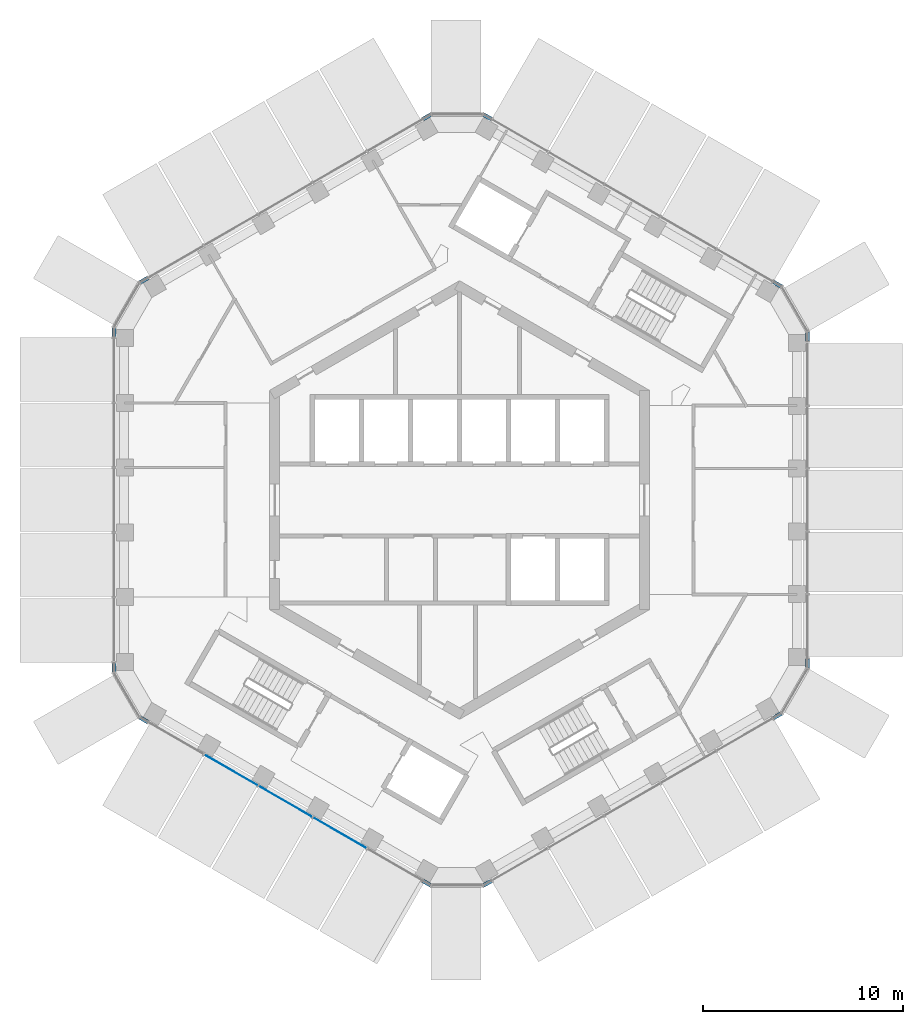
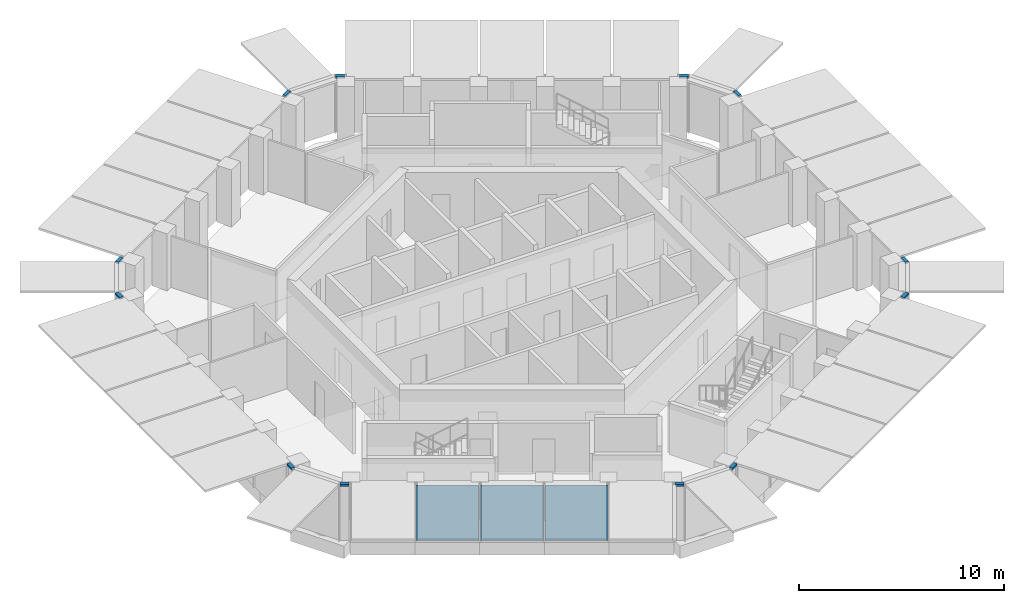
# One storey, part 6 of 17: 12 members, 3 plates, 7 elements without a shape of their own.
"""IFC4 building model written with IfcOpenShell, lengths in metres."""

from ifc_helpers import new_model, si_unit, direction, frame, origin, origin_2d, place, context, subcontext, project, spatial, rectangle, extrude, material, layer, layer_set, material_profile, profile_set, type_object, element, aggregate, save


model = new_model("IFC4")

# Units and contexts
model_context = context("Model", 3, precision=1e-05, world=origin(), true_north=direction((0.0, 1.0)))
body_context = subcontext(model_context, "Body", "Model", "MODEL_VIEW")
ifc_project = project(units=[si_unit("LENGTHUNIT", "METRE"), si_unit("AREAUNIT", "SQUARE_METRE"), si_unit("VOLUMEUNIT", "CUBIC_METRE"), si_unit("PLANEANGLEUNIT", "RADIAN"), si_unit("MASSUNIT", "GRAM", prefix="KILO")], contexts=[model_context])

# Site, building, storey
site_placement = place(None, origin())
site = spatial("IfcSite", under=ifc_project, at=site_placement, CompositionType="ELEMENT")
building_placement = place(site_placement, origin())
building = spatial("IfcBuilding", under=site, at=building_placement, Name="Ayvan Gate Tower", CompositionType="ELEMENT")
storey_placement = place(building_placement, frame((0.0, 0.0, 225.699951171875)))
storey = spatial("IfcBuildingStorey", under=building, at=storey_placement, Name="L60", CompositionType="ELEMENT", Elevation=225.699951171875)

# Curtain wall, members
ifc_material_1 = material(Name="Bronze anodised aluminium", Category="aluminium")
ifc_layer_1 = layer(ifc_material_1, 0.199951171875)
ifc_layer_set_1 = layer_set([ifc_layer_1], Name="Bronze anodised aluminium")
curtain_wall_type_1 = type_object("IfcCurtainWallType", Name="Stick curtain wall CW-6", PredefinedType="NOTDEFINED", material=ifc_layer_set_1)
curtain_wall_1_placement = place(storey_placement, origin())
curtain_wall_1 = element("IfcCurtainWall", 1, at=curtain_wall_1_placement, inside=storey, type_object=curtain_wall_type_1, Name="Stick curtain wall CW-6 L60", PredefinedType="NOTDEFINED")
ifc_material_profile = material_profile(ifc_material_1, rectangle(XDim=0.199951171875, YDim=0.1201171875, at=origin_2d()), Name="Stick curtain wall CW-6 transom 200 x 120")
ifc_profile_set = profile_set([ifc_material_profile], Name="Bronze anodised aluminium")
member_type = type_object("IfcMemberType", Name="Stick curtain wall CW-6 transom 200 x 120", PredefinedType="USERDEFINED", material=ifc_profile_set)
member_1_placement = place(storey_placement, frame((-15.591064453125, 11.104736328125, 3.340087890625), z_axis=(-0.866032067792, -0.499988457423, 0.0), x_axis=(0.499988457423, -0.866032067792, 0.0)))
member_1 = element("IfcMember", 2, at=member_1_placement, type_object=member_type, Name="CW-6 transom 1", ObjectType="TRANSOM", PredefinedType="USERDEFINED", context=body_context, shape_type="SweptSolid", body=[
    extrude(rectangle(XDim=0.199951171875, YDim=0.1201171875, at=origin_2d()), origin(), (0.0, 0.0, 1.0), 0.4501953125),
])
member_2_placement = place(storey_placement, frame((-17.293701171875, 8.605712890625, 3.340087890625), z_axis=(0.0, -1.0, 0.0), x_axis=(1.0, 0.0, 0.0)))
member_2 = element("IfcMember", 3, at=member_2_placement, type_object=member_type, Name="CW-6 transom 3", ObjectType="TRANSOM", PredefinedType="USERDEFINED", context=body_context, shape_type="SweptSolid", body=[
    extrude(rectangle(XDim=0.199951171875, YDim=0.1201171875, at=origin_2d()), origin(), (0.0, 0.0, 1.0), 0.4501953125),
])
aggregate(curtain_wall_1, [member_1, member_2])

curtain_wall_2_placement = place(storey_placement, origin())
curtain_wall_2 = element("IfcCurtainWall", 4, at=curtain_wall_2_placement, inside=storey, type_object=curtain_wall_type_1, Name="Stick curtain wall CW-6 L60", PredefinedType="NOTDEFINED")
member_3_placement = place(storey_placement, frame((-17.293701171875, -8.155517578125, 3.340087890625), z_axis=(0.0, -1.0, 0.0), x_axis=(1.0, 0.0, 0.0)))
member_3 = element("IfcMember", 5, at=member_3_placement, type_object=member_type, Name="CW-6 transom 1", ObjectType="TRANSOM", PredefinedType="USERDEFINED", context=body_context, shape_type="SweptSolid", body=[
    extrude(rectangle(XDim=0.199951171875, YDim=0.1201171875, at=origin_2d()), origin(), (0.0, 0.0, 1.0), 0.4501953125),
])
member_4_placement = place(storey_placement, frame((-15.98095703125, -10.879638671875, 3.340087890625), z_axis=(0.866032067792, -0.499988457423, 0.0), x_axis=(0.499988457423, 0.866032067792, 0.0)))
member_4 = element("IfcMember", 6, at=member_4_placement, type_object=member_type, Name="CW-6 transom 3", ObjectType="TRANSOM", PredefinedType="USERDEFINED", context=body_context, shape_type="SweptSolid", body=[
    extrude(rectangle(XDim=0.199951171875, YDim=0.1201171875, at=origin_2d()), origin(), (0.0, 0.0, 1.0), 0.4501953125),
])
aggregate(curtain_wall_2, [member_3, member_4])

curtain_wall_3_placement = place(storey_placement, origin())
curtain_wall_3 = element("IfcCurtainWall", 7, at=curtain_wall_3_placement, inside=storey, type_object=curtain_wall_type_1, Name="Stick curtain wall CW-6 L60", PredefinedType="NOTDEFINED")
member_5_placement = place(storey_placement, frame((-1.8212890625, -19.0546875, 3.340087890625), z_axis=(0.865896406789, -0.500223362819, 0.0), x_axis=(0.500223362819, 0.865896406789, 0.0)))
member_5 = element("IfcMember", 8, at=member_5_placement, type_object=member_type, Name="CW-6 transom 1", ObjectType="TRANSOM", PredefinedType="USERDEFINED", context=body_context, shape_type="SweptSolid", body=[
    extrude(rectangle(XDim=0.199951171875, YDim=0.1201171875, at=origin_2d()), origin(), (0.0, 0.0, 1.0), 0.449951171875),
])
member_6_placement = place(storey_placement, frame((1.1943359375, -19.27978515625, 3.340087890625), z_axis=(0.865896406789, 0.500223362819, 0.0), x_axis=(-0.500223362819, 0.865896406789, 0.0)))
member_6 = element("IfcMember", 9, at=member_6_placement, type_object=member_type, Name="CW-6 transom 3", ObjectType="TRANSOM", PredefinedType="USERDEFINED", context=body_context, shape_type="SweptSolid", body=[
    extrude(rectangle(XDim=0.199951171875, YDim=0.1201171875, at=origin_2d()), origin(), (0.0, 0.0, 1.0), 0.449951171875),
])
aggregate(curtain_wall_3, [member_5, member_6])

curtain_wall_4_placement = place(storey_placement, origin())
curtain_wall_4 = element("IfcCurtainWall", 10, at=curtain_wall_4_placement, inside=storey, type_object=curtain_wall_type_1, Name="Stick curtain wall CW-6 L60", PredefinedType="NOTDEFINED")
member_7_placement = place(storey_placement, frame((15.7099609375, -10.899169921875, 3.340087890625), z_axis=(0.865896406789, 0.500223362819, 0.0), x_axis=(-0.500223362819, 0.865896406789, 0.0)))
member_7 = element("IfcMember", 11, at=member_7_placement, type_object=member_type, Name="CW-6 transom 1", ObjectType="TRANSOM", PredefinedType="USERDEFINED", context=body_context, shape_type="SweptSolid", body=[
    extrude(rectangle(XDim=0.199951171875, YDim=0.1201171875, at=origin_2d()), origin(), (0.0, 0.0, 1.0), 0.449951171875),
])
member_8_placement = place(storey_placement, frame((17.41259765625, -8.39990234375, 3.340087890625), z_axis=(0.0, 1.0, 0.0), x_axis=(-1.0, 0.0, 0.0)))
member_8 = element("IfcMember", 12, at=member_8_placement, type_object=member_type, Name="CW-6 transom 3", ObjectType="TRANSOM", PredefinedType="USERDEFINED", context=body_context, shape_type="SweptSolid", body=[
    extrude(rectangle(XDim=0.199951171875, YDim=0.1201171875, at=origin_2d()), origin(), (0.0, 0.0, 1.0), 0.449951171875),
])
aggregate(curtain_wall_4, [member_7, member_8])

curtain_wall_5_placement = place(storey_placement, origin())
curtain_wall_5 = element("IfcCurtainWall", 13, at=curtain_wall_5_placement, inside=storey, type_object=curtain_wall_type_1, Name="Stick curtain wall CW-6 L60", PredefinedType="NOTDEFINED")
member_9_placement = place(storey_placement, frame((17.41259765625, 7.949951171875, 3.340087890625), z_axis=(0.0, 1.0, 0.0), x_axis=(-1.0, 0.0, 0.0)))
member_9 = element("IfcMember", 14, at=member_9_placement, type_object=member_type, Name="CW-6 transom 1", ObjectType="TRANSOM", PredefinedType="USERDEFINED", context=body_context, shape_type="SweptSolid", body=[
    extrude(rectangle(XDim=0.199951171875, YDim=0.1201171875, at=origin_2d()), origin(), (0.0, 0.0, 1.0), 0.449951171875),
])
member_10_placement = place(storey_placement, frame((16.099609375, 10.674072265625, 3.340087890625), z_axis=(-0.865896406789, 0.500223362819, 0.0), x_axis=(-0.500223362819, -0.865896406789, 0.0)))
member_10 = element("IfcMember", 15, at=member_10_placement, type_object=member_type, Name="CW-6 transom 3", ObjectType="TRANSOM", PredefinedType="USERDEFINED", context=body_context, shape_type="SweptSolid", body=[
    extrude(rectangle(XDim=0.199951171875, YDim=0.1201171875, at=origin_2d()), origin(), (0.0, 0.0, 1.0), 0.449951171875),
])
aggregate(curtain_wall_5, [member_9, member_10])

curtain_wall_6_placement = place(storey_placement, origin())
curtain_wall_6 = element("IfcCurtainWall", 16, at=curtain_wall_6_placement, inside=storey, type_object=curtain_wall_type_1, Name="Stick curtain wall CW-6 L60", PredefinedType="NOTDEFINED")
member_11_placement = place(storey_placement, frame((1.583984375, 19.0546875, 3.340087890625), z_axis=(-0.865896406789, 0.500223362819, 0.0), x_axis=(-0.500223362819, -0.865896406789, 0.0)))
member_11 = element("IfcMember", 17, at=member_11_placement, type_object=member_type, Name="CW-6 transom 1", ObjectType="TRANSOM", PredefinedType="USERDEFINED", context=body_context, shape_type="SweptSolid", body=[
    extrude(rectangle(XDim=0.199951171875, YDim=0.1201171875, at=origin_2d()), origin(), (0.0, 0.0, 1.0), 0.449951171875),
])
member_12_placement = place(storey_placement, frame((-1.431640625, 19.27978515625, 3.340087890625), z_axis=(-0.865896406789, -0.500223362819, 0.0), x_axis=(0.500223362819, -0.865896406789, 0.0)))
member_12 = element("IfcMember", 18, at=member_12_placement, type_object=member_type, Name="CW-6 transom 3", ObjectType="TRANSOM", PredefinedType="USERDEFINED", context=body_context, shape_type="SweptSolid", body=[
    extrude(rectangle(XDim=0.199951171875, YDim=0.1201171875, at=origin_2d()), origin(), (0.0, 0.0, 1.0), 0.449951171875),
])
aggregate(curtain_wall_6, [member_11, member_12])

# Curtain wall, plates
ifc_layer_2 = layer(ifc_material_1, 0.199951171875)
ifc_layer_set_2 = layer_set([ifc_layer_2], Name="Bronze anodised aluminium")
curtain_wall_type_2 = type_object("IfcCurtainWallType", Name="Stick curtain wall CW-2", PredefinedType="NOTDEFINED", material=ifc_layer_set_2)
curtain_wall_7_placement = place(storey_placement, origin())
curtain_wall_7 = element("IfcCurtainWall", 19, at=curtain_wall_7_placement, inside=storey, type_object=curtain_wall_type_2, Name="Stick curtain wall CW-2 L60", PredefinedType="NOTDEFINED")
ifc_material_2 = material(Name="Clear low-iron laminated glass", Category="glass")
ifc_layer_3 = layer(ifc_material_2, 0.028076171875)
ifc_layer_set_3 = layer_set([ifc_layer_3], Name="Clear low-iron laminated glass")
plate_type = type_object("IfcPlateType", Name="Stick curtain wall CW-2 glass panel", PredefinedType="CURTAIN_PANEL", material=ifc_layer_set_3)
plate_1_placement = place(storey_placement, frame((-11.42431640625, -13.510498046875, 0.0), z_axis=(0.0, 0.0, 1.0), x_axis=(0.866025403784, -0.5, 0.0)))
plate_1 = element("IfcPlate", 20, at=plate_1_placement, type_object=plate_type, Name="CW-2 glass panel 2", PredefinedType="CURTAIN_PANEL", context=body_context, shape_type="SweptSolid", body=[
    extrude(rectangle(XDim=3.069091796875, YDim=0.028076171875, at=origin_2d()), origin(), (0.0, 0.0, 1.0), 3.280029296875),
])
plate_2_placement = place(storey_placement, frame((-8.706298828125, -15.07958984375, 0.0), z_axis=(0.0, 0.0, 1.0), x_axis=(0.866025403784, -0.5, 0.0)))
plate_2 = element("IfcPlate", 21, at=plate_2_placement, type_object=plate_type, Name="CW-2 glass panel 3", PredefinedType="CURTAIN_PANEL", context=body_context, shape_type="SweptSolid", body=[
    extrude(rectangle(XDim=3.068115234375, YDim=0.028076171875, at=origin_2d()), origin(), (0.0, 0.0, 1.0), 3.280029296875),
])
plate_3_placement = place(storey_placement, frame((-5.98828125, -16.64892578125, 0.0), z_axis=(0.0, 0.0, 1.0), x_axis=(0.866025403784, -0.5, 0.0)))
plate_3 = element("IfcPlate", 22, at=plate_3_placement, type_object=plate_type, Name="CW-2 glass panel 4", PredefinedType="CURTAIN_PANEL", context=body_context, shape_type="SweptSolid", body=[
    extrude(rectangle(XDim=3.069091796875, YDim=0.028076171875, at=origin_2d()), origin(), (0.0, 0.0, 1.0), 3.280029296875),
])
aggregate(curtain_wall_7, [plate_1, plate_2, plate_3])

save(model, "model.ifc")
